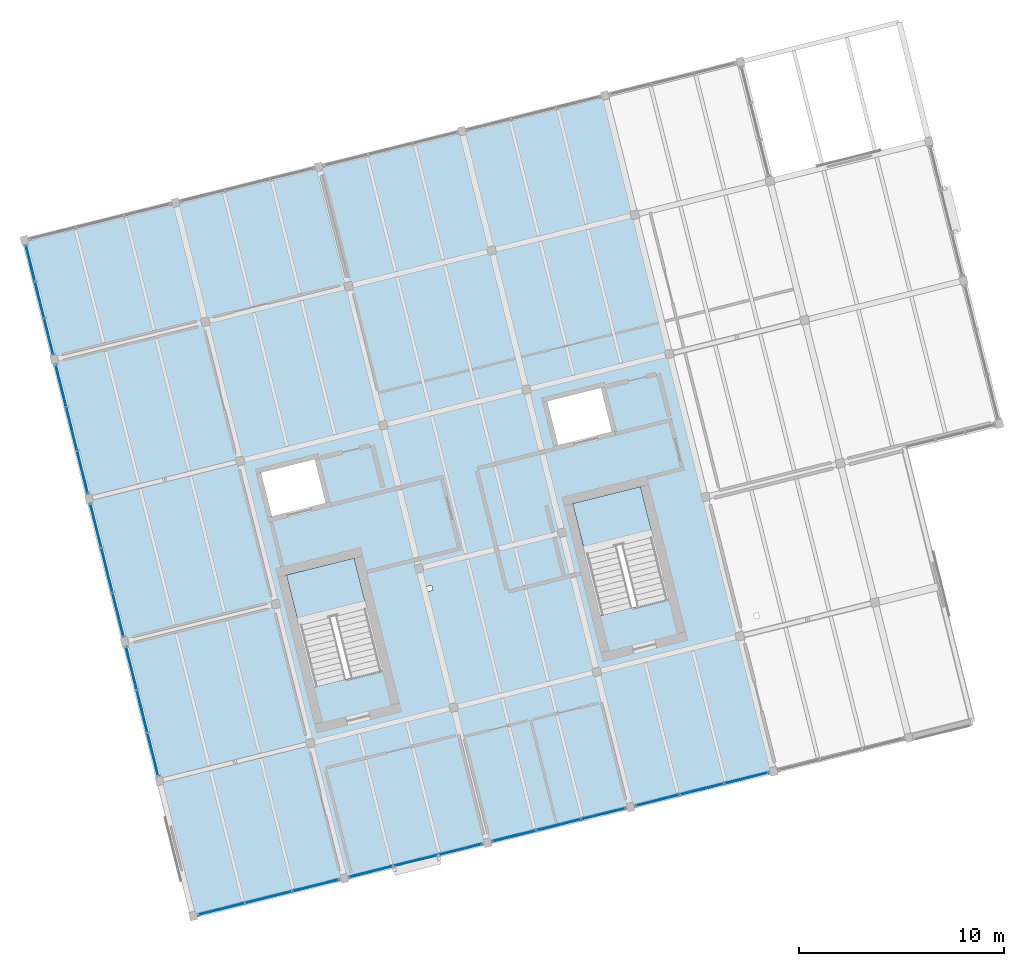
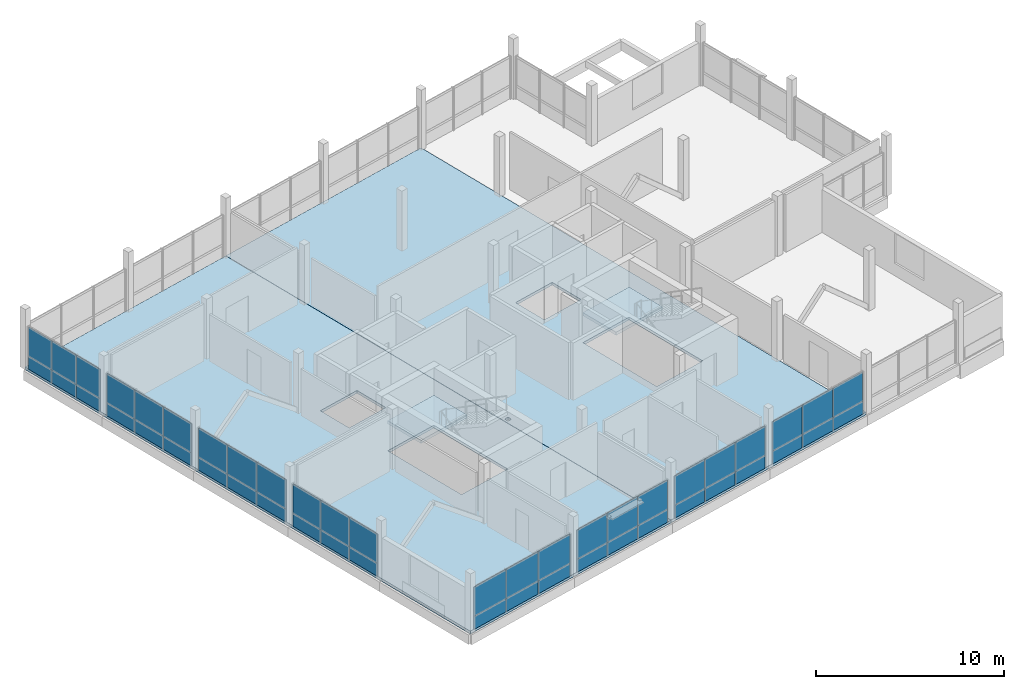
# One storey, part 22 of 27: 48 plates, 4 slabs, 10 elements without a shape of their own.
"""IFC4 building model written with IfcOpenShell, lengths in metres."""

from ifc_helpers import new_model, si_unit, direction, frame, origin, origin_2d, place, context, subcontext, project, spatial, polyline, rectangle, outline, extrude, material, layer, layer_set, type_object, element, aggregate, save


model = new_model("IFC4")

# Units and contexts
model_context = context("Model", 3, precision=1e-05, world=origin(), true_north=direction((0.0, 1.0)))
body_context = subcontext(model_context, "Body", "Model", "MODEL_VIEW")
ifc_project = project(units=[si_unit("LENGTHUNIT", "METRE"), si_unit("AREAUNIT", "SQUARE_METRE"), si_unit("VOLUMEUNIT", "CUBIC_METRE"), si_unit("PLANEANGLEUNIT", "RADIAN"), si_unit("MASSUNIT", "GRAM", prefix="KILO")], contexts=[model_context])

# Site, building, storey
site_placement = place(None, origin())
site = spatial("IfcSite", under=ifc_project, at=site_placement, CompositionType="ELEMENT")
building_placement = place(site_placement, origin())
building = spatial("IfcBuilding", under=site, at=building_placement, Name="Meriwether Solvik Hall", CompositionType="ELEMENT")
storey_placement = place(building_placement, frame((0.0, 0.0, 33.89990234375)))
storey = spatial("IfcBuildingStorey", under=building, at=storey_placement, Name="L08", CompositionType="ELEMENT", Elevation=33.89990234375)

# Curtain wall, plates
ifc_material_1 = material(Name="Thermally Broken Anodised Aluminium 6063-T6 and Low-E Glass", Category="aluminium")
ifc_layer_1 = layer(ifc_material_1, 0.179931640625)
ifc_layer_set_1 = layer_set([ifc_layer_1], Name="Thermally Broken Anodised Aluminium 6063-T6 and Low-E Glass")
curtain_wall_type_1 = type_object("IfcCurtainWallType", Name="CW-UNIT-A", PredefinedType="USERDEFINED", material=ifc_layer_set_1)
curtain_wall_1_placement = place(storey_placement, origin())
curtain_wall_1 = element("IfcCurtainWall", 1, at=curtain_wall_1_placement, inside=storey, type_object=curtain_wall_type_1, Name="Curtain Wall E0_B2 (L08)", ObjectType="UNITISED CURTAIN WALL", PredefinedType="USERDEFINED")
ifc_material_2 = material(Name="Low-Emissivity Double-Glazed Laminated Glass", Category="glass")
ifc_layer_2 = layer(ifc_material_2, 0.031982421875)
ifc_layer_set_2 = layer_set([ifc_layer_2], Name="Low-Emissivity Double-Glazed Laminated Glass")
plate_type_1 = type_object("IfcPlateType", Name="PLT-GLZ-180X185", PredefinedType="CURTAIN_PANEL", material=ifc_layer_set_2)
plate_1_placement = place(storey_placement, frame((88.6201171875, 46.191650390625, 0.837158203125), z_axis=(0.0, 0.0, 1.0), x_axis=(-0.970295738259, -0.241921847539, 0.0)))
plate_1 = element("IfcPlate", 2, at=plate_1_placement, type_object=plate_type_1, Name="Low-E Vision Glazing Panel 1", PredefinedType="CURTAIN_PANEL", context=body_context, shape_type="SweptSolid", body=[
    extrude(rectangle(XDim=2.2060546875, YDim=0.033935546875, at=origin_2d()), origin(), (0.0, 0.0, 1.0), 1.89306640625),
])
plate_2_placement = place(storey_placement, frame((86.453369140625, 45.6513671875, 0.837158203125), z_axis=(0.0, 0.0, 1.0), x_axis=(-0.970295738259, -0.241921847539, 0.0)))
plate_2 = element("IfcPlate", 3, at=plate_2_placement, type_object=plate_type_1, Name="Low-E Vision Glazing Panel 2", PredefinedType="CURTAIN_PANEL", context=body_context, shape_type="SweptSolid", body=[
    extrude(rectangle(XDim=2.243896484375, YDim=0.033935546875, at=origin_2d()), origin(), (0.0, 0.0, 1.0), 1.89306640625),
])
plate_3_placement = place(storey_placement, frame((84.286865234375, 45.111083984375, 0.837158203125), z_axis=(0.0, 0.0, 1.0), x_axis=(-0.970295738259, -0.241921847539, 0.0)))
plate_3 = element("IfcPlate", 4, at=plate_3_placement, type_object=plate_type_1, Name="Low-E Vision Glazing Panel 3", PredefinedType="CURTAIN_PANEL", context=body_context, shape_type="SweptSolid", body=[
    extrude(rectangle(XDim=2.2060546875, YDim=0.033935546875, at=origin_2d()), origin(), (0.0, 0.0, 1.0), 1.89306640625),
])

curtain_wall_2_placement = place(storey_placement, origin())
curtain_wall_2 = element("IfcCurtainWall", 5, at=curtain_wall_2_placement, inside=storey, type_object=curtain_wall_type_1, Name="Curtain Wall E7_B2 (L08)", ObjectType="UNITISED CURTAIN WALL", PredefinedType="USERDEFINED")
plate_4_placement = place(storey_placement, frame((64.9306640625, 55.91650390625, 0.837158203125), z_axis=(0.0, 0.0, 1.0), x_axis=(-0.241921847539, 0.970295738259, 0.0)))
plate_4 = element("IfcPlate", 6, at=plate_4_placement, type_object=plate_type_1, Name="Low-E Vision Glazing Panel 1", PredefinedType="CURTAIN_PANEL", context=body_context, shape_type="SweptSolid", body=[
    extrude(rectangle(XDim=2.2060546875, YDim=0.033935546875, at=origin_2d()), origin(), (0.0, 0.0, 1.0), 1.89306640625),
])
plate_5_placement = place(storey_placement, frame((64.390625, 58.083251953125, 0.837158203125), z_axis=(0.0, 0.0, 1.0), x_axis=(-0.241921847539, 0.970295738259, 0.0)))
plate_5 = element("IfcPlate", 7, at=plate_5_placement, type_object=plate_type_1, Name="Low-E Vision Glazing Panel 2", PredefinedType="CURTAIN_PANEL", context=body_context, shape_type="SweptSolid", body=[
    extrude(rectangle(XDim=2.243896484375, YDim=0.033935546875, at=origin_2d()), origin(), (0.0, 0.0, 1.0), 1.89306640625),
])
plate_6_placement = place(storey_placement, frame((63.850341796875, 60.249755859375, 0.837158203125), z_axis=(0.0, 0.0, 1.0), x_axis=(-0.241921847539, 0.970295738259, 0.0)))
plate_6 = element("IfcPlate", 8, at=plate_6_placement, type_object=plate_type_1, Name="Low-E Vision Glazing Panel 3", PredefinedType="CURTAIN_PANEL", context=body_context, shape_type="SweptSolid", body=[
    extrude(rectangle(XDim=2.2060546875, YDim=0.033935546875, at=origin_2d()), origin(), (0.0, 0.0, 1.0), 1.89306640625),
])

ifc_material_3 = material(Name="Thermally Broken Anodised Aluminium 6063-T6 and Low-E Glass", Category="aluminium")
ifc_layer_3 = layer(ifc_material_3, 0.179931640625)
ifc_layer_set_3 = layer_set([ifc_layer_3], Name="Thermally Broken Anodised Aluminium 6063-T6 and Low-E Glass")
curtain_wall_type_2 = type_object("IfcCurtainWallType", Name="CW-UNIT-G", PredefinedType="USERDEFINED", material=ifc_layer_set_3)
curtain_wall_3_placement = place(storey_placement, origin())
curtain_wall_3 = element("IfcCurtainWall", 9, at=curtain_wall_3_placement, inside=storey, type_object=curtain_wall_type_2, Name="Curtain Wall E0_B1 (L08)", ObjectType="UNITISED CURTAIN WALL", PredefinedType="USERDEFINED")
ifc_material_4 = material(Name="Low-Emissivity Double-Glazed Laminated Glass", Category="glass")
ifc_layer_4 = layer(ifc_material_4, 0.031982421875)
ifc_layer_set_4 = layer_set([ifc_layer_4], Name="Low-Emissivity Double-Glazed Laminated Glass")
plate_type_2 = type_object("IfcPlateType", Name="PLT-GLZ-195X185", PredefinedType="CURTAIN_PANEL", material=ifc_layer_set_4)
plate_7_placement = place(storey_placement, frame((81.634033203125, 44.44970703125, 0.837158203125), z_axis=(0.0, 0.0, 1.0), x_axis=(-0.970295738259, -0.241921847539, 0.0)))
plate_7 = element("IfcPlate", 10, at=plate_7_placement, type_object=plate_type_2, Name="Low-E Vision Glazing Panel 1", PredefinedType="CURTAIN_PANEL", context=body_context, shape_type="SweptSolid", body=[
    extrude(rectangle(XDim=2.2060546875, YDim=0.033935546875, at=origin_2d()), origin(), (0.0, 0.0, 1.0), 1.89306640625),
])
plate_8_placement = place(storey_placement, frame((79.46728515625, 43.909423828125, 0.837158203125), z_axis=(0.0, 0.0, 1.0), x_axis=(-0.970295738259, -0.241921847539, 0.0)))
plate_8 = element("IfcPlate", 11, at=plate_8_placement, type_object=plate_type_2, Name="Low-E Vision Glazing Panel 2", PredefinedType="CURTAIN_PANEL", context=body_context, shape_type="SweptSolid", body=[
    extrude(rectangle(XDim=2.243896484375, YDim=0.033935546875, at=origin_2d()), origin(), (0.0, 0.0, 1.0), 1.89306640625),
])
plate_9_placement = place(storey_placement, frame((77.300537109375, 43.369384765625, 0.837158203125), z_axis=(0.0, 0.0, 1.0), x_axis=(-0.970295738259, -0.241921847539, 0.0)))
plate_9 = element("IfcPlate", 12, at=plate_9_placement, type_object=plate_type_2, Name="Low-E Vision Glazing Panel 3", PredefinedType="CURTAIN_PANEL", context=body_context, shape_type="SweptSolid", body=[
    extrude(rectangle(XDim=2.2060546875, YDim=0.033935546875, at=origin_2d()), origin(), (0.0, 0.0, 1.0), 1.89306640625),
])

curtain_wall_4_placement = place(storey_placement, origin())
curtain_wall_4 = element("IfcCurtainWall", 13, at=curtain_wall_4_placement, inside=storey, type_object=curtain_wall_type_2, Name="Curtain Wall E7_B1 (L08)", ObjectType="UNITISED CURTAIN WALL", PredefinedType="USERDEFINED")
plate_10_placement = place(storey_placement, frame((66.63232421875, 49.092041015625, 0.837158203125), z_axis=(0.0, 0.0, 1.0), x_axis=(-0.241921787504, 0.970295753227, 0.0)))
plate_10 = element("IfcPlate", 14, at=plate_10_placement, type_object=plate_type_2, Name="Low-E Vision Glazing Panel 1", PredefinedType="CURTAIN_PANEL", context=body_context, shape_type="SweptSolid", body=[
    extrude(rectangle(XDim=2.139404296875, YDim=0.033935546875, at=origin_2d()), origin(), (0.0, 0.0, 1.0), 1.89306640625),
])
plate_11_placement = place(storey_placement, frame((66.108154296875, 51.194091796875, 0.837158203125), z_axis=(0.0, 0.0, 1.0), x_axis=(-0.241921787504, 0.970295753227, 0.0)))
plate_11 = element("IfcPlate", 15, at=plate_11_placement, type_object=plate_type_2, Name="Low-E Vision Glazing Panel 2", PredefinedType="CURTAIN_PANEL", context=body_context, shape_type="SweptSolid", body=[
    extrude(rectangle(XDim=2.17724609375, YDim=0.033935546875, at=origin_2d()), origin(), (0.0, 0.0, 1.0), 1.89306640625),
])
plate_12_placement = place(storey_placement, frame((65.584228515625, 53.296142578125, 0.837158203125), z_axis=(0.0, 0.0, 1.0), x_axis=(-0.241921787504, 0.970295753227, 0.0)))
plate_12 = element("IfcPlate", 16, at=plate_12_placement, type_object=plate_type_2, Name="Low-E Vision Glazing Panel 3", PredefinedType="CURTAIN_PANEL", context=body_context, shape_type="SweptSolid", body=[
    extrude(rectangle(XDim=2.139404296875, YDim=0.033935546875, at=origin_2d()), origin(), (0.0, 0.0, 1.0), 1.89306640625),
])

ifc_material_5 = material(Name="Thermally Broken Anodised Aluminium 6063-T6 and Low-E Glass", Category="aluminium")
ifc_layer_5 = layer(ifc_material_5, 0.179931640625)
ifc_layer_set_5 = layer_set([ifc_layer_5], Name="Thermally Broken Anodised Aluminium 6063-T6 and Low-E Glass")
curtain_wall_type_3 = type_object("IfcCurtainWallType", Name="CW-UNIT-F", PredefinedType="USERDEFINED", material=ifc_layer_set_5)
curtain_wall_5_placement = place(storey_placement, origin())
curtain_wall_5 = element("IfcCurtainWall", 17, at=curtain_wall_5_placement, inside=storey, type_object=curtain_wall_type_3, Name="Curtain Wall E0_B0 (L08)", ObjectType="UNITISED CURTAIN WALL", PredefinedType="USERDEFINED")
ifc_material_6 = material(Name="Low-Emissivity Double-Glazed Laminated Glass", Category="glass")
ifc_layer_6 = layer(ifc_material_6, 0.031982421875)
ifc_layer_set_6 = layer_set([ifc_layer_6], Name="Low-Emissivity Double-Glazed Laminated Glass")
plate_type_3 = type_object("IfcPlateType", Name="PLT-GLZ-210X195", PredefinedType="CURTAIN_PANEL", material=ifc_layer_set_6)
plate_13_placement = place(storey_placement, frame((74.583251953125, 42.691650390625, 0.837158203125), z_axis=(0.0, 0.0, 1.0), x_axis=(-0.970295727285, -0.241921891552, 0.0)))
plate_13 = element("IfcPlate", 18, at=plate_13_placement, type_object=plate_type_3, Name="Low-E Vision Glazing Panel 1", PredefinedType="CURTAIN_PANEL", context=body_context, shape_type="SweptSolid", body=[
    extrude(rectangle(XDim=2.33935546875, YDim=0.033935546875, at=origin_2d()), origin(), (0.0, 0.0, 1.0), 1.89306640625),
])
plate_14_placement = place(storey_placement, frame((72.287109375, 42.119384765625, 0.837158203125), z_axis=(0.0, 0.0, 1.0), x_axis=(-0.970295727285, -0.241921891552, 0.0)))
plate_14 = element("IfcPlate", 19, at=plate_14_placement, type_object=plate_type_3, Name="Low-E Vision Glazing Panel 2", PredefinedType="CURTAIN_PANEL", context=body_context, shape_type="SweptSolid", body=[
    extrude(rectangle(XDim=2.377197265625, YDim=0.033935546875, at=origin_2d()), origin(), (0.0, 0.0, 1.0), 1.89306640625),
])
plate_15_placement = place(storey_placement, frame((69.990966796875, 41.546875, 0.837158203125), z_axis=(0.0, 0.0, 1.0), x_axis=(-0.970295727285, -0.241921891552, 0.0)))
plate_15 = element("IfcPlate", 20, at=plate_15_placement, type_object=plate_type_3, Name="Low-E Vision Glazing Panel 3", PredefinedType="CURTAIN_PANEL", context=body_context, shape_type="SweptSolid", body=[
    extrude(rectangle(XDim=2.33935546875, YDim=0.033935546875, at=origin_2d()), origin(), (0.0, 0.0, 1.0), 1.89306640625),
])

ifc_material_7 = material(Name="Thermally Broken Anodised Aluminium 6063-T6 and Low-E Glass", Category="aluminium")
ifc_layer_7 = layer(ifc_material_7, 0.179931640625)
ifc_layer_set_7 = layer_set([ifc_layer_7], Name="Thermally Broken Anodised Aluminium 6063-T6 and Low-E Glass")
curtain_wall_type_4 = type_object("IfcCurtainWallType", Name="CW-UNIT-C", PredefinedType="USERDEFINED", material=ifc_layer_set_7)
curtain_wall_6_placement = place(storey_placement, origin())
curtain_wall_6 = element("IfcCurtainWall", 21, at=curtain_wall_6_placement, inside=storey, type_object=curtain_wall_type_4, Name="Curtain Wall E7_B4 (L08)", ObjectType="UNITISED CURTAIN WALL", PredefinedType="USERDEFINED")
plate_16_placement = place(storey_placement, frame((61.5439453125, 69.50048828125, 0.837158203125), z_axis=(0.0, 0.0, 1.0), x_axis=(-0.241921889131, 0.970295727889, 0.0)))
plate_16 = element("IfcPlate", 22, at=plate_16_placement, type_object=plate_type_3, Name="Low-E Vision Glazing Panel 1", PredefinedType="CURTAIN_PANEL", context=body_context, shape_type="SweptSolid", body=[
    extrude(rectangle(XDim=1.805908203125, YDim=0.033935546875, at=origin_2d()), origin(), (0.0, 0.0, 1.0), 1.89306640625),
])
plate_17_placement = place(storey_placement, frame((61.100341796875, 71.279052734375, 0.837158203125), z_axis=(0.0, 0.0, 1.0), x_axis=(-0.241921889131, 0.970295727889, 0.0)))
plate_17 = element("IfcPlate", 23, at=plate_17_placement, type_object=plate_type_3, Name="Low-E Vision Glazing Panel 2", PredefinedType="CURTAIN_PANEL", context=body_context, shape_type="SweptSolid", body=[
    extrude(rectangle(XDim=1.843994140625, YDim=0.033935546875, at=origin_2d()), origin(), (0.0, 0.0, 1.0), 1.89306640625),
])
plate_18_placement = place(storey_placement, frame((60.656982421875, 73.0576171875, 0.837158203125), z_axis=(0.0, 0.0, 1.0), x_axis=(-0.241921889131, 0.970295727889, 0.0)))
plate_18 = element("IfcPlate", 24, at=plate_18_placement, type_object=plate_type_3, Name="Low-E Vision Glazing Panel 3", PredefinedType="CURTAIN_PANEL", context=body_context, shape_type="SweptSolid", body=[
    extrude(rectangle(XDim=1.805908203125, YDim=0.033935546875, at=origin_2d()), origin(), (0.0, 0.0, 1.0), 1.89306640625),
])

ifc_material_8 = material(Name="Thermally Broken Anodised Aluminium 6063-T6 and Low-E Glass", Category="aluminium")
ifc_layer_8 = layer(ifc_material_8, 0.179931640625)
ifc_layer_set_8 = layer_set([ifc_layer_8], Name="Thermally Broken Anodised Aluminium 6063-T6 and Low-E Glass")
curtain_wall_type_5 = type_object("IfcCurtainWallType", Name="CW-UNIT-B", PredefinedType="USERDEFINED", material=ifc_layer_set_8)
curtain_wall_7_placement = place(storey_placement, origin())
curtain_wall_7 = element("IfcCurtainWall", 25, at=curtain_wall_7_placement, inside=storey, type_object=curtain_wall_type_5, Name="Curtain Wall E0_B3 (L08)", ObjectType="UNITISED CURTAIN WALL", PredefinedType="USERDEFINED")
ifc_material_9 = material(Name="Low-Emissivity Double-Glazed Laminated Glass", Category="glass")
ifc_layer_9 = layer(ifc_material_9, 0.031982421875)
ifc_layer_set_9 = layer_set([ifc_layer_9], Name="Low-Emissivity Double-Glazed Laminated Glass")
plate_type_4 = type_object("IfcPlateType", Name="PLT-GLZ-225X195", PredefinedType="CURTAIN_PANEL", material=ifc_layer_set_9)
plate_19_placement = place(storey_placement, frame((95.606201171875, 47.933349609375, 0.837158203125), z_axis=(0.0, 0.0, 1.0), x_axis=(-0.970295703518, -0.241921986879, 0.0)))
plate_19 = element("IfcPlate", 26, at=plate_19_placement, type_object=plate_type_4, Name="Low-E Vision Glazing Panel 1", PredefinedType="CURTAIN_PANEL", context=body_context, shape_type="SweptSolid", body=[
    extrude(rectangle(XDim=2.2060546875, YDim=0.033935546875, at=origin_2d()), origin(), (0.0, 0.0, 1.0), 1.89306640625),
])
plate_20_placement = place(storey_placement, frame((93.439453125, 47.393310546875, 0.837158203125), z_axis=(0.0, 0.0, 1.0), x_axis=(-0.970295703518, -0.241921986879, 0.0)))
plate_20 = element("IfcPlate", 27, at=plate_20_placement, type_object=plate_type_4, Name="Low-E Vision Glazing Panel 2", PredefinedType="CURTAIN_PANEL", context=body_context, shape_type="SweptSolid", body=[
    extrude(rectangle(XDim=2.243896484375, YDim=0.033935546875, at=origin_2d()), origin(), (0.0, 0.0, 1.0), 1.89306640625),
])
plate_21_placement = place(storey_placement, frame((91.27294921875, 46.85302734375, 0.837158203125), z_axis=(0.0, 0.0, 1.0), x_axis=(-0.970295703518, -0.241921986879, 0.0)))
plate_21 = element("IfcPlate", 28, at=plate_21_placement, type_object=plate_type_4, Name="Low-E Vision Glazing Panel 3", PredefinedType="CURTAIN_PANEL", context=body_context, shape_type="SweptSolid", body=[
    extrude(rectangle(XDim=2.2060546875, YDim=0.033935546875, at=origin_2d()), origin(), (0.0, 0.0, 1.0), 1.89306640625),
])

curtain_wall_8_placement = place(storey_placement, origin())
curtain_wall_8 = element("IfcCurtainWall", 29, at=curtain_wall_8_placement, inside=storey, type_object=curtain_wall_type_5, Name="Curtain Wall E7_B3 (L08)", ObjectType="UNITISED CURTAIN WALL", PredefinedType="USERDEFINED")
plate_22_placement = place(storey_placement, frame((63.197021484375, 62.870361328125, 0.837158203125), z_axis=(0.0, 0.0, 1.0), x_axis=(-0.241921895312, 0.970295726348, 0.0)))
plate_22 = element("IfcPlate", 30, at=plate_22_placement, type_object=plate_type_4, Name="Low-E Vision Glazing Panel 1", PredefinedType="CURTAIN_PANEL", context=body_context, shape_type="SweptSolid", body=[
    extrude(rectangle(XDim=2.139404296875, YDim=0.033935546875, at=origin_2d()), origin(), (0.0, 0.0, 1.0), 1.89306640625),
])
plate_23_placement = place(storey_placement, frame((62.6728515625, 64.97216796875, 0.837158203125), z_axis=(0.0, 0.0, 1.0), x_axis=(-0.241921895312, 0.970295726348, 0.0)))
plate_23 = element("IfcPlate", 31, at=plate_23_placement, type_object=plate_type_4, Name="Low-E Vision Glazing Panel 2", PredefinedType="CURTAIN_PANEL", context=body_context, shape_type="SweptSolid", body=[
    extrude(rectangle(XDim=2.17724609375, YDim=0.033935546875, at=origin_2d()), origin(), (0.0, 0.0, 1.0), 1.89306640625),
])
plate_24_placement = place(storey_placement, frame((62.14892578125, 67.07421875, 0.837158203125), z_axis=(0.0, 0.0, 1.0), x_axis=(-0.241921895312, 0.970295726348, 0.0)))
plate_24 = element("IfcPlate", 32, at=plate_24_placement, type_object=plate_type_4, Name="Low-E Vision Glazing Panel 3", PredefinedType="CURTAIN_PANEL", context=body_context, shape_type="SweptSolid", body=[
    extrude(rectangle(XDim=2.139404296875, YDim=0.033935546875, at=origin_2d()), origin(), (0.0, 0.0, 1.0), 1.89306640625),
])

# Plate
ifc_material_10 = material(Name="Mineral-Wool Insulated Anodised Aluminium 6063-T6", Category="aluminium")
ifc_layer_10 = layer(ifc_material_10, 0.044921875)
ifc_layer_set_10 = layer_set([ifc_layer_10], Name="Mineral-Wool Insulated Anodised Aluminium 6063-T6")
plate_type_5 = type_object("IfcPlateType", Name="PLT-SPN-225X085", PredefinedType="CURTAIN_PANEL", material=ifc_layer_set_10)
plate_25_placement = place(storey_placement, frame((74.583251953125, 42.691650390625, 0.000244140625), z_axis=(0.0, 0.0, 1.0), x_axis=(-0.970295727285, -0.241921891552, 0.0)))
plate_25 = element("IfcPlate", 33, at=plate_25_placement, type_object=plate_type_5, Name="Insulated Spandrel Panel 1", PredefinedType="CURTAIN_PANEL", context=body_context, shape_type="SweptSolid", body=[
    extrude(rectangle(XDim=2.33935546875, YDim=0.044921875, at=origin_2d()), origin(), (0.0, 0.0, 1.0), 0.8369140625),
])

plate_26_placement = place(storey_placement, frame((72.287109375, 42.119384765625, 0.000244140625), z_axis=(0.0, 0.0, 1.0), x_axis=(-0.970295727285, -0.241921891552, 0.0)))
plate_26 = element("IfcPlate", 34, at=plate_26_placement, type_object=plate_type_5, Name="Insulated Spandrel Panel 2", PredefinedType="CURTAIN_PANEL", context=body_context, shape_type="SweptSolid", body=[
    extrude(rectangle(XDim=2.377197265625, YDim=0.044921875, at=origin_2d()), origin(), (0.0, 0.0, 1.0), 0.8369140625),
])

plate_27_placement = place(storey_placement, frame((69.990966796875, 41.546875, 0.000244140625), z_axis=(0.0, 0.0, 1.0), x_axis=(-0.970295727285, -0.241921891552, 0.0)))
plate_27 = element("IfcPlate", 35, at=plate_27_placement, type_object=plate_type_5, Name="Insulated Spandrel Panel 3", PredefinedType="CURTAIN_PANEL", context=body_context, shape_type="SweptSolid", body=[
    extrude(rectangle(XDim=2.33935546875, YDim=0.044921875, at=origin_2d()), origin(), (0.0, 0.0, 1.0), 0.8369140625),
])

aggregate(curtain_wall_5, [plate_25, plate_13, plate_26, plate_14, plate_27, plate_15])

plate_28_placement = place(storey_placement, frame((81.634033203125, 44.44970703125, 0.000244140625), z_axis=(0.0, 0.0, 1.0), x_axis=(-0.970295738259, -0.241921847539, 0.0)))
plate_28 = element("IfcPlate", 36, at=plate_28_placement, type_object=plate_type_5, Name="Insulated Spandrel Panel 1", PredefinedType="CURTAIN_PANEL", context=body_context, shape_type="SweptSolid", body=[
    extrude(rectangle(XDim=2.2060546875, YDim=0.044921875, at=origin_2d()), origin(), (0.0, 0.0, 1.0), 0.8369140625),
])

plate_29_placement = place(storey_placement, frame((79.46728515625, 43.909423828125, 0.000244140625), z_axis=(0.0, 0.0, 1.0), x_axis=(-0.970295738259, -0.241921847539, 0.0)))
plate_29 = element("IfcPlate", 37, at=plate_29_placement, type_object=plate_type_5, Name="Insulated Spandrel Panel 2", PredefinedType="CURTAIN_PANEL", context=body_context, shape_type="SweptSolid", body=[
    extrude(rectangle(XDim=2.243896484375, YDim=0.044921875, at=origin_2d()), origin(), (0.0, 0.0, 1.0), 0.8369140625),
])

plate_30_placement = place(storey_placement, frame((77.300537109375, 43.369384765625, 0.000244140625), z_axis=(0.0, 0.0, 1.0), x_axis=(-0.970295738259, -0.241921847539, 0.0)))
plate_30 = element("IfcPlate", 38, at=plate_30_placement, type_object=plate_type_5, Name="Insulated Spandrel Panel 3", PredefinedType="CURTAIN_PANEL", context=body_context, shape_type="SweptSolid", body=[
    extrude(rectangle(XDim=2.2060546875, YDim=0.044921875, at=origin_2d()), origin(), (0.0, 0.0, 1.0), 0.8369140625),
])

aggregate(curtain_wall_3, [plate_28, plate_7, plate_29, plate_8, plate_30, plate_9])

plate_31_placement = place(storey_placement, frame((88.6201171875, 46.191650390625, 0.000244140625), z_axis=(0.0, 0.0, 1.0), x_axis=(-0.970295738259, -0.241921847539, 0.0)))
plate_31 = element("IfcPlate", 39, at=plate_31_placement, type_object=plate_type_5, Name="Insulated Spandrel Panel 1", PredefinedType="CURTAIN_PANEL", context=body_context, shape_type="SweptSolid", body=[
    extrude(rectangle(XDim=2.2060546875, YDim=0.044921875, at=origin_2d()), origin(), (0.0, 0.0, 1.0), 0.8369140625),
])

plate_32_placement = place(storey_placement, frame((86.453369140625, 45.6513671875, 0.000244140625), z_axis=(0.0, 0.0, 1.0), x_axis=(-0.970295738259, -0.241921847539, 0.0)))
plate_32 = element("IfcPlate", 40, at=plate_32_placement, type_object=plate_type_5, Name="Insulated Spandrel Panel 2", PredefinedType="CURTAIN_PANEL", context=body_context, shape_type="SweptSolid", body=[
    extrude(rectangle(XDim=2.243896484375, YDim=0.044921875, at=origin_2d()), origin(), (0.0, 0.0, 1.0), 0.8369140625),
])

plate_33_placement = place(storey_placement, frame((84.286865234375, 45.111083984375, 0.000244140625), z_axis=(0.0, 0.0, 1.0), x_axis=(-0.970295738259, -0.241921847539, 0.0)))
plate_33 = element("IfcPlate", 41, at=plate_33_placement, type_object=plate_type_5, Name="Insulated Spandrel Panel 3", PredefinedType="CURTAIN_PANEL", context=body_context, shape_type="SweptSolid", body=[
    extrude(rectangle(XDim=2.2060546875, YDim=0.044921875, at=origin_2d()), origin(), (0.0, 0.0, 1.0), 0.8369140625),
])

aggregate(curtain_wall_1, [plate_31, plate_1, plate_32, plate_2, plate_33, plate_3])

plate_34_placement = place(storey_placement, frame((95.606201171875, 47.933349609375, 0.000244140625), z_axis=(0.0, 0.0, 1.0), x_axis=(-0.970295703518, -0.241921986879, 0.0)))
plate_34 = element("IfcPlate", 42, at=plate_34_placement, type_object=plate_type_5, Name="Insulated Spandrel Panel 1", PredefinedType="CURTAIN_PANEL", context=body_context, shape_type="SweptSolid", body=[
    extrude(rectangle(XDim=2.2060546875, YDim=0.044921875, at=origin_2d()), origin(), (0.0, 0.0, 1.0), 0.8369140625),
])

plate_35_placement = place(storey_placement, frame((93.439453125, 47.393310546875, 0.000244140625), z_axis=(0.0, 0.0, 1.0), x_axis=(-0.970295703518, -0.241921986879, 0.0)))
plate_35 = element("IfcPlate", 43, at=plate_35_placement, type_object=plate_type_5, Name="Insulated Spandrel Panel 2", PredefinedType="CURTAIN_PANEL", context=body_context, shape_type="SweptSolid", body=[
    extrude(rectangle(XDim=2.243896484375, YDim=0.044921875, at=origin_2d()), origin(), (0.0, 0.0, 1.0), 0.8369140625),
])

plate_36_placement = place(storey_placement, frame((91.27294921875, 46.85302734375, 0.000244140625), z_axis=(0.0, 0.0, 1.0), x_axis=(-0.970295703518, -0.241921986879, 0.0)))
plate_36 = element("IfcPlate", 44, at=plate_36_placement, type_object=plate_type_5, Name="Insulated Spandrel Panel 3", PredefinedType="CURTAIN_PANEL", context=body_context, shape_type="SweptSolid", body=[
    extrude(rectangle(XDim=2.2060546875, YDim=0.044921875, at=origin_2d()), origin(), (0.0, 0.0, 1.0), 0.8369140625),
])

aggregate(curtain_wall_7, [plate_34, plate_19, plate_35, plate_20, plate_36, plate_21])

plate_37_placement = place(storey_placement, frame((66.63232421875, 49.092041015625, 0.000244140625), z_axis=(0.0, 0.0, 1.0), x_axis=(-0.241921787504, 0.970295753227, 0.0)))
plate_37 = element("IfcPlate", 45, at=plate_37_placement, type_object=plate_type_5, Name="Insulated Spandrel Panel 1", PredefinedType="CURTAIN_PANEL", context=body_context, shape_type="SweptSolid", body=[
    extrude(rectangle(XDim=2.139404296875, YDim=0.044921875, at=origin_2d()), origin(), (0.0, 0.0, 1.0), 0.8369140625),
])

plate_38_placement = place(storey_placement, frame((66.108154296875, 51.194091796875, 0.000244140625), z_axis=(0.0, 0.0, 1.0), x_axis=(-0.241921787504, 0.970295753227, 0.0)))
plate_38 = element("IfcPlate", 46, at=plate_38_placement, type_object=plate_type_5, Name="Insulated Spandrel Panel 2", PredefinedType="CURTAIN_PANEL", context=body_context, shape_type="SweptSolid", body=[
    extrude(rectangle(XDim=2.17724609375, YDim=0.044921875, at=origin_2d()), origin(), (0.0, 0.0, 1.0), 0.8369140625),
])

plate_39_placement = place(storey_placement, frame((65.584228515625, 53.296142578125, 0.000244140625), z_axis=(0.0, 0.0, 1.0), x_axis=(-0.241921787504, 0.970295753227, 0.0)))
plate_39 = element("IfcPlate", 47, at=plate_39_placement, type_object=plate_type_5, Name="Insulated Spandrel Panel 3", PredefinedType="CURTAIN_PANEL", context=body_context, shape_type="SweptSolid", body=[
    extrude(rectangle(XDim=2.139404296875, YDim=0.044921875, at=origin_2d()), origin(), (0.0, 0.0, 1.0), 0.8369140625),
])

aggregate(curtain_wall_4, [plate_37, plate_10, plate_38, plate_11, plate_39, plate_12])

plate_40_placement = place(storey_placement, frame((64.9306640625, 55.91650390625, 0.000244140625), z_axis=(0.0, 0.0, 1.0), x_axis=(-0.241921847539, 0.970295738259, 0.0)))
plate_40 = element("IfcPlate", 48, at=plate_40_placement, type_object=plate_type_5, Name="Insulated Spandrel Panel 1", PredefinedType="CURTAIN_PANEL", context=body_context, shape_type="SweptSolid", body=[
    extrude(rectangle(XDim=2.2060546875, YDim=0.044921875, at=origin_2d()), origin(), (0.0, 0.0, 1.0), 0.8369140625),
])

plate_41_placement = place(storey_placement, frame((64.390625, 58.083251953125, 0.000244140625), z_axis=(0.0, 0.0, 1.0), x_axis=(-0.241921847539, 0.970295738259, 0.0)))
plate_41 = element("IfcPlate", 49, at=plate_41_placement, type_object=plate_type_5, Name="Insulated Spandrel Panel 2", PredefinedType="CURTAIN_PANEL", context=body_context, shape_type="SweptSolid", body=[
    extrude(rectangle(XDim=2.243896484375, YDim=0.044921875, at=origin_2d()), origin(), (0.0, 0.0, 1.0), 0.8369140625),
])

plate_42_placement = place(storey_placement, frame((63.850341796875, 60.249755859375, 0.000244140625), z_axis=(0.0, 0.0, 1.0), x_axis=(-0.241921847539, 0.970295738259, 0.0)))
plate_42 = element("IfcPlate", 50, at=plate_42_placement, type_object=plate_type_5, Name="Insulated Spandrel Panel 3", PredefinedType="CURTAIN_PANEL", context=body_context, shape_type="SweptSolid", body=[
    extrude(rectangle(XDim=2.2060546875, YDim=0.044921875, at=origin_2d()), origin(), (0.0, 0.0, 1.0), 0.8369140625),
])

aggregate(curtain_wall_2, [plate_40, plate_4, plate_41, plate_5, plate_42, plate_6])

plate_43_placement = place(storey_placement, frame((63.197021484375, 62.870361328125, 0.000244140625), z_axis=(0.0, 0.0, 1.0), x_axis=(-0.241921895312, 0.970295726348, 0.0)))
plate_43 = element("IfcPlate", 51, at=plate_43_placement, type_object=plate_type_5, Name="Insulated Spandrel Panel 1", PredefinedType="CURTAIN_PANEL", context=body_context, shape_type="SweptSolid", body=[
    extrude(rectangle(XDim=2.139404296875, YDim=0.044921875, at=origin_2d()), origin(), (0.0, 0.0, 1.0), 0.8369140625),
])

plate_44_placement = place(storey_placement, frame((62.6728515625, 64.97216796875, 0.000244140625), z_axis=(0.0, 0.0, 1.0), x_axis=(-0.241921895312, 0.970295726348, 0.0)))
plate_44 = element("IfcPlate", 52, at=plate_44_placement, type_object=plate_type_5, Name="Insulated Spandrel Panel 2", PredefinedType="CURTAIN_PANEL", context=body_context, shape_type="SweptSolid", body=[
    extrude(rectangle(XDim=2.17724609375, YDim=0.044921875, at=origin_2d()), origin(), (0.0, 0.0, 1.0), 0.8369140625),
])

plate_45_placement = place(storey_placement, frame((62.14892578125, 67.07421875, 0.000244140625), z_axis=(0.0, 0.0, 1.0), x_axis=(-0.241921895312, 0.970295726348, 0.0)))
plate_45 = element("IfcPlate", 53, at=plate_45_placement, type_object=plate_type_5, Name="Insulated Spandrel Panel 3", PredefinedType="CURTAIN_PANEL", context=body_context, shape_type="SweptSolid", body=[
    extrude(rectangle(XDim=2.139404296875, YDim=0.044921875, at=origin_2d()), origin(), (0.0, 0.0, 1.0), 0.8369140625),
])

aggregate(curtain_wall_8, [plate_43, plate_22, plate_44, plate_23, plate_45, plate_24])

plate_46_placement = place(storey_placement, frame((61.5439453125, 69.50048828125, 0.000244140625), z_axis=(0.0, 0.0, 1.0), x_axis=(-0.241921889131, 0.970295727889, 0.0)))
plate_46 = element("IfcPlate", 54, at=plate_46_placement, type_object=plate_type_5, Name="Insulated Spandrel Panel 1", PredefinedType="CURTAIN_PANEL", context=body_context, shape_type="SweptSolid", body=[
    extrude(rectangle(XDim=1.805908203125, YDim=0.044921875, at=origin_2d()), origin(), (0.0, 0.0, 1.0), 0.8369140625),
])

plate_47_placement = place(storey_placement, frame((61.100341796875, 71.279052734375, 0.000244140625), z_axis=(0.0, 0.0, 1.0), x_axis=(-0.241921889131, 0.970295727889, 0.0)))
plate_47 = element("IfcPlate", 55, at=plate_47_placement, type_object=plate_type_5, Name="Insulated Spandrel Panel 2", PredefinedType="CURTAIN_PANEL", context=body_context, shape_type="SweptSolid", body=[
    extrude(rectangle(XDim=1.843994140625, YDim=0.044921875, at=origin_2d()), origin(), (0.0, 0.0, 1.0), 0.8369140625),
])

plate_48_placement = place(storey_placement, frame((60.656982421875, 73.0576171875, 0.000244140625), z_axis=(0.0, 0.0, 1.0), x_axis=(-0.241921889131, 0.970295727889, 0.0)))
plate_48 = element("IfcPlate", 56, at=plate_48_placement, type_object=plate_type_5, Name="Insulated Spandrel Panel 3", PredefinedType="CURTAIN_PANEL", context=body_context, shape_type="SweptSolid", body=[
    extrude(rectangle(XDim=1.805908203125, YDim=0.044921875, at=origin_2d()), origin(), (0.0, 0.0, 1.0), 0.8369140625),
])

aggregate(curtain_wall_6, [plate_46, plate_16, plate_47, plate_17, plate_48, plate_18])

# Slabs
ifc_material_11 = material(Name="Cross-Laminated Timber PRG 320 E1", Category="wood")
ifc_layer_11 = layer(ifc_material_11, 0.179931640625)
ifc_layer_set_11 = layer_set([ifc_layer_11], Name="Cross-Laminated Timber PRG 320 E1")
slab_type_1 = type_object("IfcSlabType", Name="SLB-CLT-180", PredefinedType="FLOOR", material=ifc_layer_set_11)
slab_1_placement = place(storey_placement, frame((0.0, 0.0, -0.179931640625)))
element("IfcSlab", 57, at=slab_1_placement, inside=storey, type_object=slab_type_1, Name="L08 Mass-Timber CLT Floor W", PredefinedType="FLOOR", context=body_context, shape_type="SweptSolid", body=[
    extrude(outline(polyline([(74.732177734375, 77.769775390625), (82.95751953125, 44.77978515625), (68.60009765625, 41.199951171875), (60.374755859375, 74.18994140625), (74.732177734375, 77.769775390625)]), holes=[polyline([(74.5205078125, 52.382568359375), (77.819580078125, 53.205078125), (76.45703125, 58.669677734375), (73.157958984375, 57.84716796875), (74.5205078125, 52.382568359375)]), polyline([(71.912109375, 62.84423828125), (72.4443359375, 60.70947265625), (75.064208984375, 61.36279296875), (74.531982421875, 63.497314453125), (71.912109375, 62.84423828125)])]), origin(), (0.0, 0.0, 1.0), 0.179931640625),
])
slab_2_placement = place(storey_placement, frame((0.0, 0.0, -0.179931640625)))
element("IfcSlab", 58, at=slab_2_placement, inside=storey, type_object=slab_type_1, Name="L08 Mass-Timber CLT Floor C", PredefinedType="FLOOR", context=body_context, shape_type="SweptSolid", body=[
    extrude(outline(polyline([(88.704345703125, 81.25341796875), (96.9296875, 48.263427734375), (82.96337890625, 44.78125), (74.738037109375, 77.771240234375), (88.704345703125, 81.25341796875)]), holes=[polyline([(79.997314453125, 57.284912109375), (80.0576171875, 57.04248046875), (80.30029296875, 57.10302734375), (80.23974609375, 57.345458984375), (79.997314453125, 57.284912109375)]), polyline([(88.492919921875, 55.8662109375), (91.791748046875, 56.688720703125), (90.429443359375, 62.1533203125), (87.13037109375, 61.330810546875), (88.492919921875, 55.8662109375)]), polyline([(85.884521484375, 66.327880859375), (86.416748046875, 64.193359375), (89.036376953125, 64.846435546875), (88.504150390625, 66.981201171875), (85.884521484375, 66.327880859375)])]), origin(), (0.0, 0.0, 1.0), 0.179931640625),
])

# Stair, slab
ifc_material_12 = material(Name="Concrete C40/50", Category="concrete")
stair_type = type_object("IfcStairType", Name="STR-CORE-DOGLEG-A", PredefinedType="TWO_STRAIGHT_RUN_STAIR", material=ifc_material_12)
stair_1_placement = place(storey_placement, origin())
stair_1 = element("IfcStair", 59, at=stair_1_placement, inside=storey, type_object=stair_type, Name="Exit Stair ST-01 (L08)", PredefinedType="TWO_STRAIGHT_RUN_STAIR")
ifc_material_13 = material(Name="Concrete C40/50", Category="concrete")
ifc_layer_12 = layer(ifc_material_13, 0.199951171875)
ifc_layer_set_12 = layer_set([ifc_layer_12], Name="Concrete C40/50")
slab_type_2 = type_object("IfcSlabType", Name="SLB-LND-200", PredefinedType="LANDING", material=ifc_layer_set_12)
slab_3_placement = place(storey_placement, frame((0.0, 0.0, 1.75)))
slab_3 = element("IfcSlab", 60, at=slab_3_placement, type_object=slab_type_2, Name="Stair ST-01 Half Landing (L08)", PredefinedType="LANDING", context=body_context, shape_type="SweptSolid", body=[
    extrude(outline(polyline([(73.76611328125, 55.38818359375), (77.07470703125, 56.213134765625), (76.460693359375, 58.67578125), (73.152099609375, 57.850830078125), (73.76611328125, 55.38818359375)])), origin(), (0.0, 0.0, 1.0), 0.2001953125),
])
aggregate(stair_1, [slab_3])

stair_2_placement = place(storey_placement, origin())
stair_2 = element("IfcStair", 61, at=stair_2_placement, inside=storey, type_object=stair_type, Name="Exit Stair ST-02 (L08)", PredefinedType="TWO_STRAIGHT_RUN_STAIR")
slab_4_placement = place(storey_placement, frame((0.0, 0.0, 1.75)))
slab_4 = element("IfcSlab", 62, at=slab_4_placement, type_object=slab_type_2, Name="Stair ST-02 Half Landing (L08)", PredefinedType="LANDING", context=body_context, shape_type="SweptSolid", body=[
    extrude(outline(polyline([(87.73828125, 58.871826171875), (91.046875, 59.69677734375), (90.432861328125, 62.159423828125), (87.124267578125, 61.33447265625), (87.73828125, 58.871826171875)])), origin(), (0.0, 0.0, 1.0), 0.2001953125),
])
aggregate(stair_2, [slab_4])

save(model, "model.ifc")
